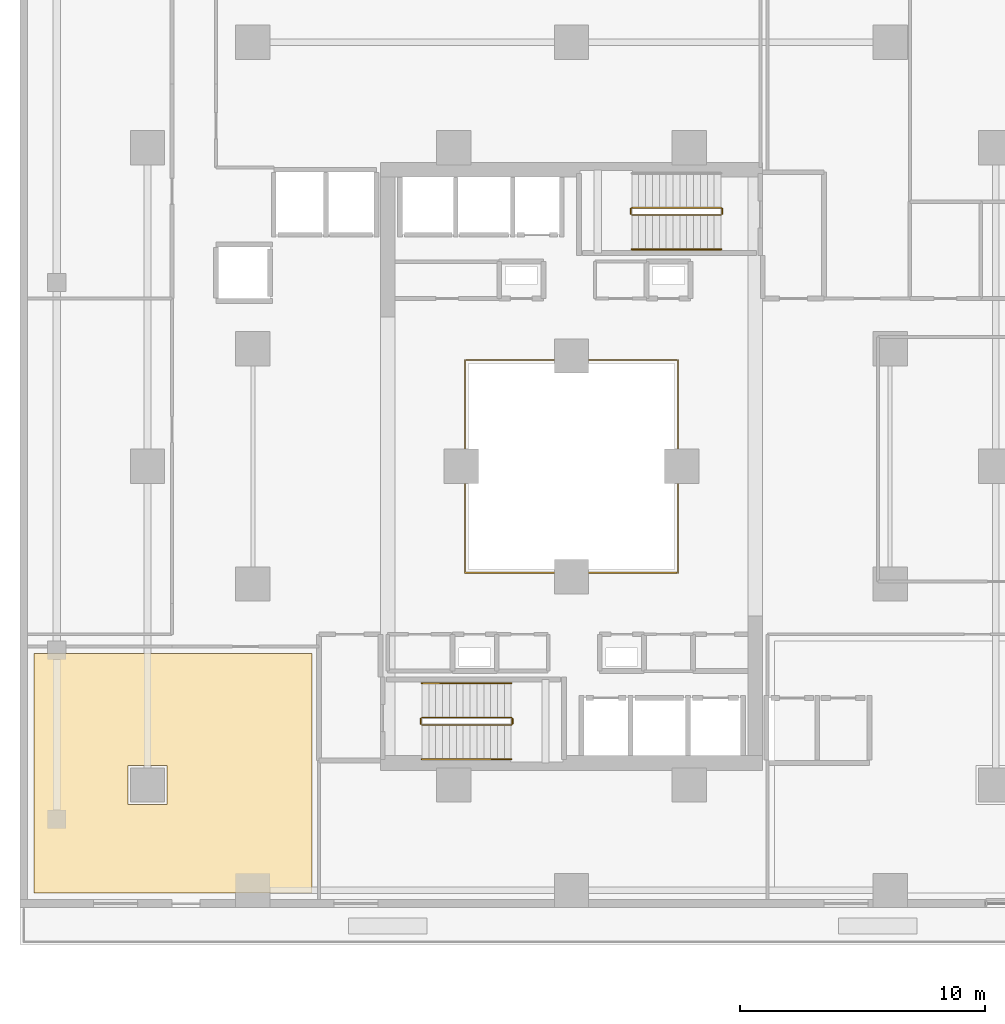
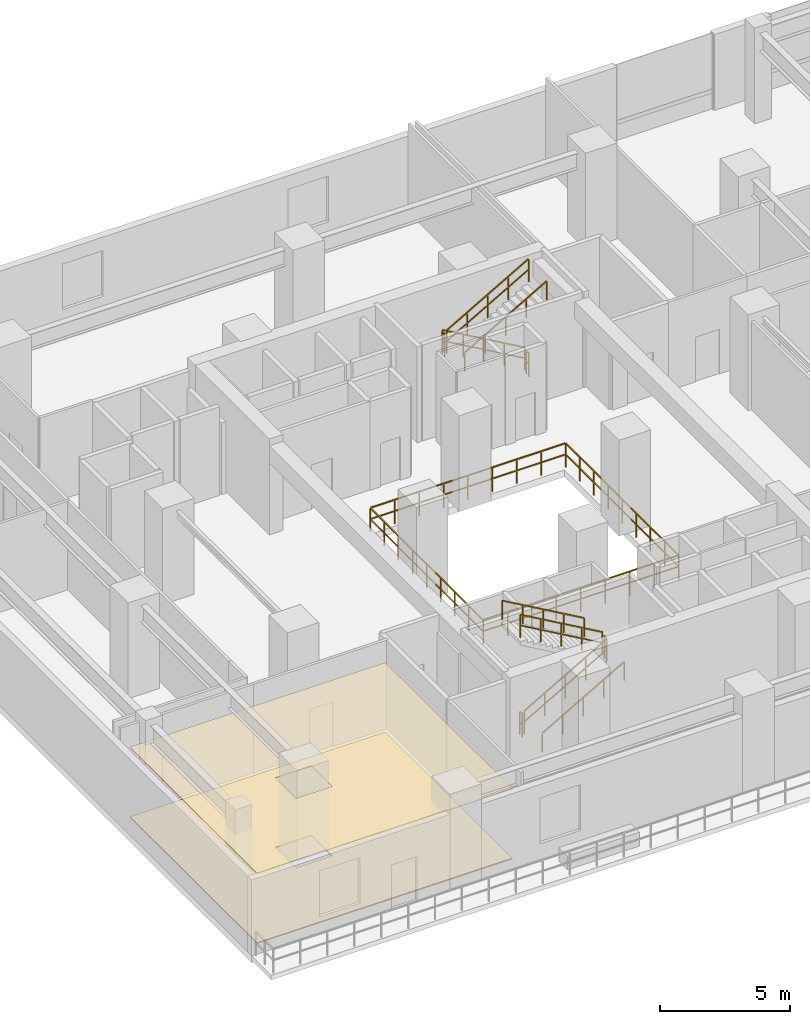
# One storey, part 20 of 24: 12 railings, 2 coverings.
"""IFC4 building model written with IfcOpenShell, lengths in metres."""

from ifc_helpers import new_model, si_unit, direction, frame, origin, origin_2d, place, context, subcontext, project, spatial, polyline, rectangle, outline, extrude, material, layer, layer_set, type_object, element, save


model = new_model("IFC4")

# Units and contexts
model_context = context("Model", 3, precision=1e-05, world=origin(), true_north=direction((0.0, 1.0)))
body_context = subcontext(model_context, "Body", "Model", "MODEL_VIEW")
ifc_project = project(units=[si_unit("LENGTHUNIT", "METRE"), si_unit("AREAUNIT", "SQUARE_METRE"), si_unit("VOLUMEUNIT", "CUBIC_METRE"), si_unit("PLANEANGLEUNIT", "RADIAN"), si_unit("MASSUNIT", "GRAM", prefix="KILO")], contexts=[model_context])

# Site, building, storey
site_placement = place(None, origin())
site = spatial("IfcSite", under=ifc_project, at=site_placement, CompositionType="ELEMENT")
building_placement = place(site_placement, origin())
building = spatial("IfcBuilding", under=site, at=building_placement, Name="Thornwick Lancets Civic Towers", CompositionType="ELEMENT")
storey_placement = place(building_placement, frame((0.0, 0.0, 14.10009765625)))
storey = spatial("IfcBuildingStorey", under=building, at=storey_placement, Name="L03", CompositionType="ELEMENT", Elevation=14.10009765625)

# Coverings
ifc_material_1 = material(Name="Perforated mineral acoustic ceiling tile")
ifc_layer_1 = layer(ifc_material_1, 0.0400390625, Name="Perforated mineral acoustic ceiling tile")
ifc_layer_set_1 = layer_set([ifc_layer_1], Name="Perforated mineral acoustic ceiling tile")
covering_type_1 = type_object("IfcCoveringType", Name="COV_CEIL_ACOUSTIC", PredefinedType="CEILING", material=ifc_layer_set_1)
covering_1_placement = place(storey_placement, frame((0.0, 0.0, 3.27392578125)))
element("IfcCovering", 1, at=covering_1_placement, inside=storey, type_object=covering_type_1, Name="L03 Ministry Policy Directorate West Ceiling", PredefinedType="CEILING", context=body_context, shape_type="SweptSolid", body=[
    extrude(outline(polyline([(14.919921875, 9.60009765625), (3.580078125, 9.60009765625), (3.580078125, 19.3701171875), (14.919921875, 19.3701171875), (14.919921875, 9.60009765625)]), holes=[polyline([(7.39990234375, 13.199951171875), (9.0, 13.199951171875), (9.0, 14.800048828125), (7.39990234375, 14.800048828125), (7.39990234375, 13.199951171875)])]), origin(), (0.0, 0.0, 1.0), 0.0400390625),
])
ifc_material_2 = material(Name="Calcium-sulfate raised access floor panel")
ifc_layer_2 = layer(ifc_material_2, 0.050048828125, Name="Calcium-sulfate raised access floor panel")
ifc_layer_set_2 = layer_set([ifc_layer_2], Name="Calcium-sulfate raised access floor panel")
covering_type_2 = type_object("IfcCoveringType", Name="COV_FLOOR_RAISED", PredefinedType="FLOORING", material=ifc_layer_set_2)
covering_2_placement = place(storey_placement, origin())
element("IfcCovering", 2, at=covering_2_placement, inside=storey, type_object=covering_type_2, Name="L03 Ministry Policy Directorate West Raised Access Flooring", PredefinedType="FLOORING", context=body_context, shape_type="SweptSolid", body=[
    extrude(outline(polyline([(14.919921875, 9.60009765625), (3.580078125, 9.60009765625), (3.580078125, 19.3701171875), (14.919921875, 19.3701171875), (14.919921875, 9.60009765625)]), holes=[polyline([(7.39990234375, 13.199951171875), (9.0, 13.199951171875), (9.0, 14.800048828125), (7.39990234375, 14.800048828125), (7.39990234375, 13.199951171875)])]), origin(), (0.0, 0.0, 1.0), 0.0498046875),
])

# Railings
ifc_material_3 = material(Name="Laminated glass and bronze steel S355", Category="steel")
railing_type_1 = type_object("IfcRailingType", Name="RAIL_ATRIUM_GUARD", PredefinedType="BALUSTRADE", material=ifc_material_3)
railing_1_placement = place(storey_placement, frame((21.159912109375, 22.659912109375, 0.0)))
element("IfcRailing", 3, at=railing_1_placement, inside=storey, type_object=railing_type_1, Name="L03 Tower A Central Atrium Guard Balustrade", PredefinedType="BALUSTRADE", context=body_context, shape_type="SweptSolid", body=[
    extrude(rectangle(XDim=0.048095703125, YDim=0.048095703125, at=origin_2d()), frame((0.0, 0.0, 1.1259765625), z_axis=(1.0, 0.0, 0.0), x_axis=(0.0, 1.0, 0.0)), (0.0, 0.0, 1.0), 8.64892578125),
    extrude(rectangle(XDim=0.0419921875, YDim=0.0419921875, at=origin_2d()), frame((0.03759765625, 0.0, 0.597900390625), z_axis=(1.0, 0.0, 0.0), x_axis=(0.0, 1.0, 0.0)), (0.0, 0.0, 1.0), 1.010009765625),
    extrude(rectangle(XDim=0.0419921875, YDim=0.0419921875, at=origin_2d()), frame((1.12255859375, 0.0, 0.597900390625), z_axis=(1.0, 0.0, 0.0), x_axis=(0.0, 1.0, 0.0)), (0.0, 0.0, 1.0), 1.010009765625),
    extrude(rectangle(XDim=0.0419921875, YDim=0.0419921875, at=origin_2d()), frame((2.20751953125, 0.0, 0.597900390625), z_axis=(1.0, 0.0, 0.0), x_axis=(0.0, 1.0, 0.0)), (0.0, 0.0, 1.0), 1.010009765625),
    extrude(rectangle(XDim=0.0419921875, YDim=0.0419921875, at=origin_2d()), frame((3.29248046875, 0.0, 0.597900390625), z_axis=(1.0, 0.0, 0.0), x_axis=(0.0, 1.0, 0.0)), (0.0, 0.0, 1.0), 1.010009765625),
    extrude(rectangle(XDim=0.0419921875, YDim=0.0419921875, at=origin_2d()), frame((4.377685546875, 0.0, 0.597900390625), z_axis=(1.0, 0.0, 0.0), x_axis=(0.0, 1.0, 0.0)), (0.0, 0.0, 1.0), 1.010009765625),
    extrude(rectangle(XDim=0.0419921875, YDim=0.0419921875, at=origin_2d()), frame((5.462646484375, 0.0, 0.597900390625), z_axis=(1.0, 0.0, 0.0), x_axis=(0.0, 1.0, 0.0)), (0.0, 0.0, 1.0), 1.010009765625),
    extrude(rectangle(XDim=0.0419921875, YDim=0.0419921875, at=origin_2d()), frame((6.547607421875, 0.0, 0.597900390625), z_axis=(1.0, 0.0, 0.0), x_axis=(0.0, 1.0, 0.0)), (0.0, 0.0, 1.0), 1.010009765625),
    extrude(rectangle(XDim=0.0419921875, YDim=0.0419921875, at=origin_2d()), frame((7.632568359375, 0.0, 0.597900390625), z_axis=(1.0, 0.0, 0.0), x_axis=(0.0, 1.0, 0.0)), (0.0, 0.0, 1.0), 1.010009765625),
    extrude(rectangle(XDim=0.048095703125, YDim=0.048095703125, at=origin_2d()), frame((8.68017578125, 0.03125, 1.1259765625), z_axis=(0.0, 1.0, 0.0), x_axis=(-1.0, 0.0, 0.0)), (0.0, 0.0, 1.0), 8.61767578125),
    extrude(rectangle(XDim=0.0419921875, YDim=0.0419921875, at=origin_2d()), frame((8.68017578125, 0.03759765625, 0.597900390625), z_axis=(0.0, 1.0, 0.0), x_axis=(-1.0, 0.0, 0.0)), (0.0, 0.0, 1.0), 1.010009765625),
    extrude(rectangle(XDim=0.0419921875, YDim=0.0419921875, at=origin_2d()), frame((8.68017578125, 1.12255859375, 0.597900390625), z_axis=(0.0, 1.0, 0.0), x_axis=(-1.0, 0.0, 0.0)), (0.0, 0.0, 1.0), 1.010009765625),
    extrude(rectangle(XDim=0.0419921875, YDim=0.0419921875, at=origin_2d()), frame((8.68017578125, 2.20751953125, 0.597900390625), z_axis=(0.0, 1.0, 0.0), x_axis=(-1.0, 0.0, 0.0)), (0.0, 0.0, 1.0), 1.010009765625),
    extrude(rectangle(XDim=0.0419921875, YDim=0.0419921875, at=origin_2d()), frame((8.68017578125, 3.29248046875, 0.597900390625), z_axis=(0.0, 1.0, 0.0), x_axis=(-1.0, 0.0, 0.0)), (0.0, 0.0, 1.0), 1.010009765625),
    extrude(rectangle(XDim=0.0419921875, YDim=0.0419921875, at=origin_2d()), frame((8.68017578125, 4.377685546875, 0.597900390625), z_axis=(0.0, 1.0, 0.0), x_axis=(-1.0, 0.0, 0.0)), (0.0, 0.0, 1.0), 1.010009765625),
    extrude(rectangle(XDim=0.0419921875, YDim=0.0419921875, at=origin_2d()), frame((8.68017578125, 5.462646484375, 0.597900390625), z_axis=(0.0, 1.0, 0.0), x_axis=(-1.0, 0.0, 0.0)), (0.0, 0.0, 1.0), 1.010009765625),
    extrude(rectangle(XDim=0.0419921875, YDim=0.0419921875, at=origin_2d()), frame((8.68017578125, 6.547607421875, 0.597900390625), z_axis=(0.0, 1.0, 0.0), x_axis=(-1.0, 0.0, 0.0)), (0.0, 0.0, 1.0), 1.010009765625),
    extrude(rectangle(XDim=0.0419921875, YDim=0.0419921875, at=origin_2d()), frame((8.68017578125, 7.632568359375, 0.597900390625), z_axis=(0.0, 1.0, 0.0), x_axis=(-1.0, 0.0, 0.0)), (0.0, 0.0, 1.0), 1.010009765625),
    extrude(rectangle(XDim=0.048095703125, YDim=0.048095703125, at=origin_2d()), frame((8.64892578125, 8.68017578125, 1.1259765625), z_axis=(-1.0, 0.0, 0.0), x_axis=(0.0, -1.0, 0.0)), (0.0, 0.0, 1.0), 8.61767578125),
    extrude(rectangle(XDim=0.0419921875, YDim=0.0419921875, at=origin_2d()), frame((8.642578125, 8.68017578125, 0.597900390625), z_axis=(-1.0, 0.0, 0.0), x_axis=(0.0, -1.0, 0.0)), (0.0, 0.0, 1.0), 1.010009765625),
    extrude(rectangle(XDim=0.0419921875, YDim=0.0419921875, at=origin_2d()), frame((7.5576171875, 8.68017578125, 0.597900390625), z_axis=(-1.0, 0.0, 0.0), x_axis=(0.0, -1.0, 0.0)), (0.0, 0.0, 1.0), 1.010009765625),
    extrude(rectangle(XDim=0.0419921875, YDim=0.0419921875, at=origin_2d()), frame((6.47265625, 8.68017578125, 0.597900390625), z_axis=(-1.0, 0.0, 0.0), x_axis=(0.0, -1.0, 0.0)), (0.0, 0.0, 1.0), 1.010009765625),
    extrude(rectangle(XDim=0.0419921875, YDim=0.0419921875, at=origin_2d()), frame((5.3876953125, 8.68017578125, 0.597900390625), z_axis=(-1.0, 0.0, 0.0), x_axis=(0.0, -1.0, 0.0)), (0.0, 0.0, 1.0), 1.010009765625),
    extrude(rectangle(XDim=0.0419921875, YDim=0.0419921875, at=origin_2d()), frame((4.302490234375, 8.68017578125, 0.597900390625), z_axis=(-1.0, 0.0, 0.0), x_axis=(0.0, -1.0, 0.0)), (0.0, 0.0, 1.0), 1.010009765625),
    extrude(rectangle(XDim=0.0419921875, YDim=0.0419921875, at=origin_2d()), frame((3.217529296875, 8.68017578125, 0.597900390625), z_axis=(-1.0, 0.0, 0.0), x_axis=(0.0, -1.0, 0.0)), (0.0, 0.0, 1.0), 1.010009765625),
    extrude(rectangle(XDim=0.0419921875, YDim=0.0419921875, at=origin_2d()), frame((2.132568359375, 8.68017578125, 0.597900390625), z_axis=(-1.0, 0.0, 0.0), x_axis=(0.0, -1.0, 0.0)), (0.0, 0.0, 1.0), 1.010009765625),
    extrude(rectangle(XDim=0.0419921875, YDim=0.0419921875, at=origin_2d()), frame((1.047607421875, 8.68017578125, 0.597900390625), z_axis=(-1.0, 0.0, 0.0), x_axis=(0.0, -1.0, 0.0)), (0.0, 0.0, 1.0), 1.010009765625),
    extrude(rectangle(XDim=0.048095703125, YDim=0.048095703125, at=origin_2d()), frame((0.0, 8.64892578125, 1.1259765625), z_axis=(0.0, -1.0, 0.0), x_axis=(1.0, 0.0, 0.0)), (0.0, 0.0, 1.0), 8.64892578125),
    extrude(rectangle(XDim=0.0419921875, YDim=0.0419921875, at=origin_2d()), frame((0.0, 8.642578125, 0.597900390625), z_axis=(0.0, -1.0, 0.0), x_axis=(1.0, 0.0, 0.0)), (0.0, 0.0, 1.0), 1.010009765625),
    extrude(rectangle(XDim=0.0419921875, YDim=0.0419921875, at=origin_2d()), frame((0.0, 7.5576171875, 0.597900390625), z_axis=(0.0, -1.0, 0.0), x_axis=(1.0, 0.0, 0.0)), (0.0, 0.0, 1.0), 1.010009765625),
    extrude(rectangle(XDim=0.0419921875, YDim=0.0419921875, at=origin_2d()), frame((0.0, 6.47265625, 0.597900390625), z_axis=(0.0, -1.0, 0.0), x_axis=(1.0, 0.0, 0.0)), (0.0, 0.0, 1.0), 1.010009765625),
    extrude(rectangle(XDim=0.0419921875, YDim=0.0419921875, at=origin_2d()), frame((0.0, 5.3876953125, 0.597900390625), z_axis=(0.0, -1.0, 0.0), x_axis=(1.0, 0.0, 0.0)), (0.0, 0.0, 1.0), 1.010009765625),
    extrude(rectangle(XDim=0.0419921875, YDim=0.0419921875, at=origin_2d()), frame((0.0, 4.302490234375, 0.597900390625), z_axis=(0.0, -1.0, 0.0), x_axis=(1.0, 0.0, 0.0)), (0.0, 0.0, 1.0), 1.010009765625),
    extrude(rectangle(XDim=0.0419921875, YDim=0.0419921875, at=origin_2d()), frame((0.0, 3.217529296875, 0.597900390625), z_axis=(0.0, -1.0, 0.0), x_axis=(1.0, 0.0, 0.0)), (0.0, 0.0, 1.0), 1.010009765625),
    extrude(rectangle(XDim=0.0419921875, YDim=0.0419921875, at=origin_2d()), frame((0.0, 2.132568359375, 0.597900390625), z_axis=(0.0, -1.0, 0.0), x_axis=(1.0, 0.0, 0.0)), (0.0, 0.0, 1.0), 1.010009765625),
    extrude(rectangle(XDim=0.0419921875, YDim=0.0419921875, at=origin_2d()), frame((0.0, 1.047607421875, 0.597900390625), z_axis=(0.0, -1.0, 0.0), x_axis=(1.0, 0.0, 0.0)), (0.0, 0.0, 1.0), 1.010009765625),
    extrude(rectangle(XDim=0.0419921875, YDim=0.0419921875, at=origin_2d()), origin(), (0.0, 0.0, 1.0), 1.095703125),
    extrude(rectangle(XDim=0.0419921875, YDim=0.0419921875, at=origin_2d()), frame((1.0849609375, 0.0, 0.0)), (0.0, 0.0, 1.0), 1.095703125),
    extrude(rectangle(XDim=0.0419921875, YDim=0.0419921875, at=origin_2d()), frame((2.169921875, 0.0, 0.0)), (0.0, 0.0, 1.0), 1.095703125),
    extrude(rectangle(XDim=0.0419921875, YDim=0.0419921875, at=origin_2d()), frame((3.255126953125, 0.0, 0.0)), (0.0, 0.0, 1.0), 1.095703125),
    extrude(rectangle(XDim=0.0419921875, YDim=0.0419921875, at=origin_2d()), frame((4.340087890625, 0.0, 0.0)), (0.0, 0.0, 1.0), 1.095703125),
    extrude(rectangle(XDim=0.0419921875, YDim=0.0419921875, at=origin_2d()), frame((5.425048828125, 0.0, 0.0)), (0.0, 0.0, 1.0), 1.095703125),
    extrude(rectangle(XDim=0.0419921875, YDim=0.0419921875, at=origin_2d()), frame((6.51025390625, 0.0, 0.0)), (0.0, 0.0, 1.0), 1.095703125),
    extrude(rectangle(XDim=0.0419921875, YDim=0.0419921875, at=origin_2d()), frame((7.59521484375, 0.0, 0.0)), (0.0, 0.0, 1.0), 1.095703125),
    extrude(rectangle(XDim=0.0419921875, YDim=0.0419921875, at=origin_2d()), frame((8.68017578125, 0.0, 0.0)), (0.0, 0.0, 1.0), 1.095703125),
    extrude(rectangle(XDim=0.0419921875, YDim=0.0419921875, at=origin_2d()), frame((8.68017578125, 1.0849609375, 0.0)), (0.0, 0.0, 1.0), 1.095703125),
    extrude(rectangle(XDim=0.0419921875, YDim=0.0419921875, at=origin_2d()), frame((8.68017578125, 2.169921875, 0.0)), (0.0, 0.0, 1.0), 1.095703125),
    extrude(rectangle(XDim=0.0419921875, YDim=0.0419921875, at=origin_2d()), frame((8.68017578125, 3.255126953125, 0.0)), (0.0, 0.0, 1.0), 1.095703125),
    extrude(rectangle(XDim=0.0419921875, YDim=0.0419921875, at=origin_2d()), frame((8.68017578125, 4.340087890625, 0.0)), (0.0, 0.0, 1.0), 1.095703125),
    extrude(rectangle(XDim=0.0419921875, YDim=0.0419921875, at=origin_2d()), frame((8.68017578125, 5.425048828125, 0.0)), (0.0, 0.0, 1.0), 1.095703125),
    extrude(rectangle(XDim=0.0419921875, YDim=0.0419921875, at=origin_2d()), frame((8.68017578125, 6.51025390625, 0.0)), (0.0, 0.0, 1.0), 1.095703125),
    extrude(rectangle(XDim=0.0419921875, YDim=0.0419921875, at=origin_2d()), frame((8.68017578125, 7.59521484375, 0.0)), (0.0, 0.0, 1.0), 1.095703125),
    extrude(rectangle(XDim=0.0419921875, YDim=0.0419921875, at=origin_2d()), frame((8.68017578125, 8.68017578125, 0.0)), (0.0, 0.0, 1.0), 1.095703125),
    extrude(rectangle(XDim=0.0419921875, YDim=0.0419921875, at=origin_2d()), frame((7.59521484375, 8.68017578125, 0.0)), (0.0, 0.0, 1.0), 1.095703125),
    extrude(rectangle(XDim=0.0419921875, YDim=0.0419921875, at=origin_2d()), frame((6.51025390625, 8.68017578125, 0.0)), (0.0, 0.0, 1.0), 1.095703125),
    extrude(rectangle(XDim=0.0419921875, YDim=0.0419921875, at=origin_2d()), frame((5.425048828125, 8.68017578125, 0.0)), (0.0, 0.0, 1.0), 1.095703125),
    extrude(rectangle(XDim=0.0419921875, YDim=0.0419921875, at=origin_2d()), frame((4.340087890625, 8.68017578125, 0.0)), (0.0, 0.0, 1.0), 1.095703125),
    extrude(rectangle(XDim=0.0419921875, YDim=0.0419921875, at=origin_2d()), frame((3.255126953125, 8.68017578125, 0.0)), (0.0, 0.0, 1.0), 1.095703125),
    extrude(rectangle(XDim=0.0419921875, YDim=0.0419921875, at=origin_2d()), frame((2.169921875, 8.68017578125, 0.0)), (0.0, 0.0, 1.0), 1.095703125),
    extrude(rectangle(XDim=0.0419921875, YDim=0.0419921875, at=origin_2d()), frame((1.0849609375, 8.68017578125, 0.0)), (0.0, 0.0, 1.0), 1.095703125),
    extrude(rectangle(XDim=0.0419921875, YDim=0.0419921875, at=origin_2d()), frame((0.0, 8.68017578125, 0.0)), (0.0, 0.0, 1.0), 1.095703125),
    extrude(rectangle(XDim=0.0419921875, YDim=0.0419921875, at=origin_2d()), frame((0.0, 7.59521484375, 0.0)), (0.0, 0.0, 1.0), 1.095703125),
    extrude(rectangle(XDim=0.0419921875, YDim=0.0419921875, at=origin_2d()), frame((0.0, 6.51025390625, 0.0)), (0.0, 0.0, 1.0), 1.095703125),
    extrude(rectangle(XDim=0.0419921875, YDim=0.0419921875, at=origin_2d()), frame((0.0, 5.425048828125, 0.0)), (0.0, 0.0, 1.0), 1.095703125),
    extrude(rectangle(XDim=0.0419921875, YDim=0.0419921875, at=origin_2d()), frame((0.0, 4.340087890625, 0.0)), (0.0, 0.0, 1.0), 1.095703125),
    extrude(rectangle(XDim=0.0419921875, YDim=0.0419921875, at=origin_2d()), frame((0.0, 3.255126953125, 0.0)), (0.0, 0.0, 1.0), 1.095703125),
    extrude(rectangle(XDim=0.0419921875, YDim=0.0419921875, at=origin_2d()), frame((0.0, 2.169921875, 0.0)), (0.0, 0.0, 1.0), 1.095703125),
    extrude(rectangle(XDim=0.0419921875, YDim=0.0419921875, at=origin_2d()), frame((0.0, 1.0849609375, 0.0)), (0.0, 0.0, 1.0), 1.095703125),
])
ifc_material_4 = material(Name="Brushed stainless steel S355", Category="steel")
railing_type_2 = type_object("IfcRailingType", Name="RAIL_HANDRAIL", PredefinedType="HANDRAIL", material=ifc_material_4)
railing_2_placement = place(storey_placement, frame((19.39990234375, 15.050048828125, 0.16064453125)))
element("IfcRailing", 4, at=railing_2_placement, inside=storey, type_object=railing_type_2, Name="L03 ST-A1 stair handrail 1", PredefinedType="HANDRAIL", context=body_context, shape_type="SweptSolid", body=[
    extrude(rectangle(XDim=0.048095703125, YDim=0.048095703125, at=origin_2d()), frame((0.0, 0.0, 0.8857421875), z_axis=(0.867289372828, 0.0, 0.497804322781), x_axis=(0.0, 1.0, 0.0)), (0.0, 0.0, 1.0), 4.197021484375),
    extrude(rectangle(XDim=0.0419921875, YDim=0.0419921875, at=origin_2d()), origin(), (0.0, 0.0, 1.0), 0.855712890625),
    extrude(rectangle(XDim=0.0419921875, YDim=0.0419921875, at=origin_2d()), frame((0.91015625, 0.0, 0.5224609375)), (0.0, 0.0, 1.0), 0.855712890625),
    extrude(rectangle(XDim=0.0419921875, YDim=0.0419921875, at=origin_2d()), frame((1.820068359375, 0.0, 1.044677734375)), (0.0, 0.0, 1.0), 0.855712890625),
    extrude(rectangle(XDim=0.0419921875, YDim=0.0419921875, at=origin_2d()), frame((2.72998046875, 0.0, 1.56689453125)), (0.0, 0.0, 1.0), 0.855712890625),
    extrude(rectangle(XDim=0.0419921875, YDim=0.0419921875, at=origin_2d()), frame((3.64013671875, 0.0, 2.08935546875)), (0.0, 0.0, 1.0), 0.855712890625),
])
railing_3_placement = place(storey_placement, frame((23.0400390625, 18.14990234375, 2.41064453125)))
element("IfcRailing", 5, at=railing_3_placement, inside=storey, type_object=railing_type_2, Name="L03 ST-A1 stair handrail 2", PredefinedType="HANDRAIL", context=body_context, shape_type="SweptSolid", body=[
    extrude(rectangle(XDim=0.048095703125, YDim=0.048095703125, at=origin_2d()), frame((0.0, 0.0, 0.8857421875), z_axis=(-0.867289372828, 0.0, 0.497804322781), x_axis=(0.0, -1.0, 0.0)), (0.0, 0.0, 1.0), 4.197021484375),
    extrude(rectangle(XDim=0.0419921875, YDim=0.0419921875, at=origin_2d()), origin(), (0.0, 0.0, 1.0), 0.855712890625),
    extrude(rectangle(XDim=0.0419921875, YDim=0.0419921875, at=origin_2d()), frame((-0.91015625, 0.0, 0.5224609375)), (0.0, 0.0, 1.0), 0.855712890625),
    extrude(rectangle(XDim=0.0419921875, YDim=0.0419921875, at=origin_2d()), frame((-1.820068359375, 0.0, 1.044677734375)), (0.0, 0.0, 1.0), 0.855712890625),
    extrude(rectangle(XDim=0.0419921875, YDim=0.0419921875, at=origin_2d()), frame((-2.72998046875, 0.0, 1.56689453125)), (0.0, 0.0, 1.0), 0.855712890625),
    extrude(rectangle(XDim=0.0419921875, YDim=0.0419921875, at=origin_2d()), frame((-3.64013671875, 0.0, 2.08935546875)), (0.0, 0.0, 1.0), 0.855712890625),
])
railing_4_placement = place(storey_placement, frame((27.9599609375, 35.85009765625, 2.41064453125)))
element("IfcRailing", 6, at=railing_4_placement, inside=storey, type_object=railing_type_2, Name="L03 ST-A2 stair handrail 2", PredefinedType="HANDRAIL", context=body_context, shape_type="SweptSolid", body=[
    extrude(rectangle(XDim=0.048095703125, YDim=0.048095703125, at=origin_2d()), frame((0.0, 0.0, 0.8857421875), z_axis=(0.867289372828, 0.0, 0.497804322781), x_axis=(0.0, 1.0, 0.0)), (0.0, 0.0, 1.0), 4.197021484375),
    extrude(rectangle(XDim=0.0419921875, YDim=0.0419921875, at=origin_2d()), origin(), (0.0, 0.0, 1.0), 0.855712890625),
    extrude(rectangle(XDim=0.0419921875, YDim=0.0419921875, at=origin_2d()), frame((0.91015625, 0.0, 0.5224609375)), (0.0, 0.0, 1.0), 0.855712890625),
    extrude(rectangle(XDim=0.0419921875, YDim=0.0419921875, at=origin_2d()), frame((1.820068359375, 0.0, 1.044677734375)), (0.0, 0.0, 1.0), 0.855712890625),
    extrude(rectangle(XDim=0.0419921875, YDim=0.0419921875, at=origin_2d()), frame((2.72998046875, 0.0, 1.56689453125)), (0.0, 0.0, 1.0), 0.855712890625),
    extrude(rectangle(XDim=0.0419921875, YDim=0.0419921875, at=origin_2d()), frame((3.64013671875, 0.0, 2.08935546875)), (0.0, 0.0, 1.0), 0.855712890625),
])
ifc_material_5 = material(Name="Steel S355JR", Category="steel")
railing_type_3 = type_object("IfcRailingType", Name="RAIL_STAIR_GUARD", PredefinedType="GUARDRAIL", material=ifc_material_5)
railing_5_placement = place(storey_placement, frame((19.39990234375, 16.449951171875, 0.16064453125)))
element("IfcRailing", 7, at=railing_5_placement, inside=storey, type_object=railing_type_3, Name="L03 ST-A1 stair guard 1", PredefinedType="GUARDRAIL", context=body_context, shape_type="SweptSolid", body=[
    extrude(rectangle(XDim=0.048095703125, YDim=0.048095703125, at=origin_2d()), frame((0.0, 0.0, 1.076171875), z_axis=(0.867289372828, 0.0, 0.497804322781), x_axis=(0.0, 1.0, 0.0)), (0.0, 0.0, 1.0), 4.197021484375),
    extrude(rectangle(XDim=0.0419921875, YDim=0.0419921875, at=origin_2d()), frame((0.032470703125, 0.0, 0.5908203125), z_axis=(0.867289372828, 0.0, 0.497804322781), x_axis=(0.0, 1.0, 0.0)), (0.0, 0.0, 1.0), 0.974365234375),
    extrude(rectangle(XDim=0.0419921875, YDim=0.0419921875, at=origin_2d()), frame((0.942626953125, 0.0, 1.113037109375), z_axis=(0.867289372828, 0.0, 0.497804322781), x_axis=(0.0, 1.0, 0.0)), (0.0, 0.0, 1.0), 0.974365234375),
    extrude(rectangle(XDim=0.0419921875, YDim=0.0419921875, at=origin_2d()), frame((1.8525390625, 0.0, 1.635498046875), z_axis=(0.867289372828, 0.0, 0.497804322781), x_axis=(0.0, 1.0, 0.0)), (0.0, 0.0, 1.0), 0.974365234375),
    extrude(rectangle(XDim=0.0419921875, YDim=0.0419921875, at=origin_2d()), frame((2.7626953125, 0.0, 2.15771484375), z_axis=(0.867289372828, 0.0, 0.497804322781), x_axis=(0.0, 1.0, 0.0)), (0.0, 0.0, 1.0), 0.974365234375),
    extrude(rectangle(XDim=0.0419921875, YDim=0.0419921875, at=origin_2d()), origin(), (0.0, 0.0, 1.0), 1.0458984375),
    extrude(rectangle(XDim=0.0419921875, YDim=0.0419921875, at=origin_2d()), frame((0.91015625, 0.0, 0.5224609375)), (0.0, 0.0, 1.0), 1.0458984375),
    extrude(rectangle(XDim=0.0419921875, YDim=0.0419921875, at=origin_2d()), frame((1.820068359375, 0.0, 1.044677734375)), (0.0, 0.0, 1.0), 1.0458984375),
    extrude(rectangle(XDim=0.0419921875, YDim=0.0419921875, at=origin_2d()), frame((2.72998046875, 0.0, 1.56689453125)), (0.0, 0.0, 1.0), 1.0458984375),
    extrude(rectangle(XDim=0.0419921875, YDim=0.0419921875, at=origin_2d()), frame((3.64013671875, 0.0, 2.08935546875)), (0.0, 0.0, 1.0), 1.0458984375),
])
railing_6_placement = place(storey_placement, frame((23.090087890625, 16.5, 2.25)))
element("IfcRailing", 8, at=railing_6_placement, inside=storey, type_object=railing_type_3, Name="L03 ST-A1 stair guard 2", PredefinedType="GUARDRAIL", context=body_context, shape_type="SweptSolid", body=[
    extrude(rectangle(XDim=0.048095703125, YDim=0.048095703125, at=origin_2d()), frame((0.0, 0.0, 1.076171875), z_axis=(0.0, 1.0, 0.0), x_axis=(-1.0, 0.0, 0.0)), (0.0, 0.0, 1.0), 0.199951171875),
    extrude(rectangle(XDim=0.0419921875, YDim=0.0419921875, at=origin_2d()), frame((0.0, 0.03759765625, 0.572021484375), z_axis=(0.0, 1.0, 0.0), x_axis=(-1.0, 0.0, 0.0)), (0.0, 0.0, 1.0), 0.125),
    extrude(rectangle(XDim=0.0419921875, YDim=0.0419921875, at=origin_2d()), origin(), (0.0, 0.0, 1.0), 1.0458984375),
    extrude(rectangle(XDim=0.0419921875, YDim=0.0419921875, at=origin_2d()), frame((0.0, 0.199951171875, 0.0)), (0.0, 0.0, 1.0), 1.0458984375),
])
railing_7_placement = place(storey_placement, frame((23.0400390625, 16.75, 2.41064453125)))
element("IfcRailing", 9, at=railing_7_placement, inside=storey, type_object=railing_type_3, Name="L03 ST-A1 stair guard 3", PredefinedType="GUARDRAIL", context=body_context, shape_type="SweptSolid", body=[
    extrude(rectangle(XDim=0.048095703125, YDim=0.048095703125, at=origin_2d()), frame((0.0, 0.0, 1.076171875), z_axis=(-0.867289372828, 0.0, 0.497804322781), x_axis=(0.0, -1.0, 0.0)), (0.0, 0.0, 1.0), 4.197021484375),
    extrude(rectangle(XDim=0.0419921875, YDim=0.0419921875, at=origin_2d()), frame((-0.032470703125, 0.0, 0.5908203125), z_axis=(-0.867289372828, 0.0, 0.497804322781), x_axis=(0.0, -1.0, 0.0)), (0.0, 0.0, 1.0), 0.974365234375),
    extrude(rectangle(XDim=0.0419921875, YDim=0.0419921875, at=origin_2d()), frame((-0.942626953125, 0.0, 1.113037109375), z_axis=(-0.867289372828, 0.0, 0.497804322781), x_axis=(0.0, -1.0, 0.0)), (0.0, 0.0, 1.0), 0.974365234375),
    extrude(rectangle(XDim=0.0419921875, YDim=0.0419921875, at=origin_2d()), frame((-1.8525390625, 0.0, 1.635498046875), z_axis=(-0.867289372828, 0.0, 0.497804322781), x_axis=(0.0, -1.0, 0.0)), (0.0, 0.0, 1.0), 0.974365234375),
    extrude(rectangle(XDim=0.0419921875, YDim=0.0419921875, at=origin_2d()), frame((-2.7626953125, 0.0, 2.15771484375), z_axis=(-0.867289372828, 0.0, 0.497804322781), x_axis=(0.0, -1.0, 0.0)), (0.0, 0.0, 1.0), 0.974365234375),
    extrude(rectangle(XDim=0.0419921875, YDim=0.0419921875, at=origin_2d()), origin(), (0.0, 0.0, 1.0), 1.0458984375),
    extrude(rectangle(XDim=0.0419921875, YDim=0.0419921875, at=origin_2d()), frame((-0.91015625, 0.0, 0.5224609375)), (0.0, 0.0, 1.0), 1.0458984375),
    extrude(rectangle(XDim=0.0419921875, YDim=0.0419921875, at=origin_2d()), frame((-1.820068359375, 0.0, 1.044677734375)), (0.0, 0.0, 1.0), 1.0458984375),
    extrude(rectangle(XDim=0.0419921875, YDim=0.0419921875, at=origin_2d()), frame((-2.72998046875, 0.0, 1.56689453125)), (0.0, 0.0, 1.0), 1.0458984375),
    extrude(rectangle(XDim=0.0419921875, YDim=0.0419921875, at=origin_2d()), frame((-3.64013671875, 0.0, 2.08935546875)), (0.0, 0.0, 1.0), 1.0458984375),
])
railing_8_placement = place(storey_placement, frame((19.35009765625, 16.5, 0.0)))
element("IfcRailing", 10, at=railing_8_placement, inside=storey, type_object=railing_type_3, Name="L03 ST-A1 stair guard 4", PredefinedType="GUARDRAIL", context=body_context, shape_type="SweptSolid", body=[
    extrude(rectangle(XDim=0.048095703125, YDim=0.048095703125, at=origin_2d()), frame((0.0, 0.0, 1.076171875), z_axis=(0.0, 1.0, 0.0), x_axis=(-1.0, 0.0, 0.0)), (0.0, 0.0, 1.0), 0.199951171875),
    extrude(rectangle(XDim=0.0419921875, YDim=0.0419921875, at=origin_2d()), frame((0.0, 0.03759765625, 0.572021484375), z_axis=(0.0, 1.0, 0.0), x_axis=(-1.0, 0.0, 0.0)), (0.0, 0.0, 1.0), 0.125),
    extrude(rectangle(XDim=0.0419921875, YDim=0.0419921875, at=origin_2d()), origin(), (0.0, 0.0, 1.0), 1.0458984375),
    extrude(rectangle(XDim=0.0419921875, YDim=0.0419921875, at=origin_2d()), frame((0.0, 0.199951171875, 0.0)), (0.0, 0.0, 1.0), 1.0458984375),
])
railing_9_placement = place(storey_placement, frame((31.60009765625, 37.550048828125, 0.16064453125)))
element("IfcRailing", 11, at=railing_9_placement, inside=storey, type_object=railing_type_3, Name="L03 ST-A2 stair guard 1", PredefinedType="GUARDRAIL", context=body_context, shape_type="SweptSolid", body=[
    extrude(rectangle(XDim=0.048095703125, YDim=0.048095703125, at=origin_2d()), frame((0.0, 0.0, 1.076171875), z_axis=(-0.867289372828, 0.0, 0.497804322781), x_axis=(0.0, -1.0, 0.0)), (0.0, 0.0, 1.0), 4.197021484375),
    extrude(rectangle(XDim=0.0419921875, YDim=0.0419921875, at=origin_2d()), frame((-0.032470703125, 0.0, 0.5908203125), z_axis=(-0.867289372828, 0.0, 0.497804322781), x_axis=(0.0, -1.0, 0.0)), (0.0, 0.0, 1.0), 0.974365234375),
    extrude(rectangle(XDim=0.0419921875, YDim=0.0419921875, at=origin_2d()), frame((-0.942626953125, 0.0, 1.113037109375), z_axis=(-0.867289372828, 0.0, 0.497804322781), x_axis=(0.0, -1.0, 0.0)), (0.0, 0.0, 1.0), 0.974365234375),
    extrude(rectangle(XDim=0.0419921875, YDim=0.0419921875, at=origin_2d()), frame((-1.8525390625, 0.0, 1.635498046875), z_axis=(-0.867289372828, 0.0, 0.497804322781), x_axis=(0.0, -1.0, 0.0)), (0.0, 0.0, 1.0), 0.974365234375),
    extrude(rectangle(XDim=0.0419921875, YDim=0.0419921875, at=origin_2d()), frame((-2.7626953125, 0.0, 2.15771484375), z_axis=(-0.867289372828, 0.0, 0.497804322781), x_axis=(0.0, -1.0, 0.0)), (0.0, 0.0, 1.0), 0.974365234375),
    extrude(rectangle(XDim=0.0419921875, YDim=0.0419921875, at=origin_2d()), origin(), (0.0, 0.0, 1.0), 1.0458984375),
    extrude(rectangle(XDim=0.0419921875, YDim=0.0419921875, at=origin_2d()), frame((-0.91015625, 0.0, 0.5224609375)), (0.0, 0.0, 1.0), 1.0458984375),
    extrude(rectangle(XDim=0.0419921875, YDim=0.0419921875, at=origin_2d()), frame((-1.820068359375, 0.0, 1.044677734375)), (0.0, 0.0, 1.0), 1.0458984375),
    extrude(rectangle(XDim=0.0419921875, YDim=0.0419921875, at=origin_2d()), frame((-2.72998046875, 0.0, 1.56689453125)), (0.0, 0.0, 1.0), 1.0458984375),
    extrude(rectangle(XDim=0.0419921875, YDim=0.0419921875, at=origin_2d()), frame((-3.64013671875, 0.0, 2.08935546875)), (0.0, 0.0, 1.0), 1.0458984375),
])
railing_10_placement = place(storey_placement, frame((27.909912109375, 37.5, 2.25)))
element("IfcRailing", 12, at=railing_10_placement, inside=storey, type_object=railing_type_3, Name="L03 ST-A2 stair guard 2", PredefinedType="GUARDRAIL", context=body_context, shape_type="SweptSolid", body=[
    extrude(rectangle(XDim=0.048095703125, YDim=0.048095703125, at=origin_2d()), frame((0.0, 0.0, 1.076171875), z_axis=(0.0, -1.0, 0.0), x_axis=(1.0, 0.0, 0.0)), (0.0, 0.0, 1.0), 0.199951171875),
    extrude(rectangle(XDim=0.0419921875, YDim=0.0419921875, at=origin_2d()), frame((0.0, -0.03759765625, 0.572021484375), z_axis=(0.0, -1.0, 0.0), x_axis=(1.0, 0.0, 0.0)), (0.0, 0.0, 1.0), 0.125),
    extrude(rectangle(XDim=0.0419921875, YDim=0.0419921875, at=origin_2d()), origin(), (0.0, 0.0, 1.0), 1.0458984375),
    extrude(rectangle(XDim=0.0419921875, YDim=0.0419921875, at=origin_2d()), frame((0.0, -0.199951171875, 0.0)), (0.0, 0.0, 1.0), 1.0458984375),
])
railing_11_placement = place(storey_placement, frame((27.9599609375, 37.25, 2.41064453125)))
element("IfcRailing", 13, at=railing_11_placement, inside=storey, type_object=railing_type_3, Name="L03 ST-A2 stair guard 3", PredefinedType="GUARDRAIL", context=body_context, shape_type="SweptSolid", body=[
    extrude(rectangle(XDim=0.048095703125, YDim=0.048095703125, at=origin_2d()), frame((0.0, 0.0, 1.076171875), z_axis=(0.867289372828, 0.0, 0.497804322781), x_axis=(0.0, 1.0, 0.0)), (0.0, 0.0, 1.0), 4.197021484375),
    extrude(rectangle(XDim=0.0419921875, YDim=0.0419921875, at=origin_2d()), frame((0.032470703125, 0.0, 0.5908203125), z_axis=(0.867289372828, 0.0, 0.497804322781), x_axis=(0.0, 1.0, 0.0)), (0.0, 0.0, 1.0), 0.974365234375),
    extrude(rectangle(XDim=0.0419921875, YDim=0.0419921875, at=origin_2d()), frame((0.942626953125, 0.0, 1.113037109375), z_axis=(0.867289372828, 0.0, 0.497804322781), x_axis=(0.0, 1.0, 0.0)), (0.0, 0.0, 1.0), 0.974365234375),
    extrude(rectangle(XDim=0.0419921875, YDim=0.0419921875, at=origin_2d()), frame((1.8525390625, 0.0, 1.635498046875), z_axis=(0.867289372828, 0.0, 0.497804322781), x_axis=(0.0, 1.0, 0.0)), (0.0, 0.0, 1.0), 0.974365234375),
    extrude(rectangle(XDim=0.0419921875, YDim=0.0419921875, at=origin_2d()), frame((2.7626953125, 0.0, 2.15771484375), z_axis=(0.867289372828, 0.0, 0.497804322781), x_axis=(0.0, 1.0, 0.0)), (0.0, 0.0, 1.0), 0.974365234375),
    extrude(rectangle(XDim=0.0419921875, YDim=0.0419921875, at=origin_2d()), origin(), (0.0, 0.0, 1.0), 1.0458984375),
    extrude(rectangle(XDim=0.0419921875, YDim=0.0419921875, at=origin_2d()), frame((0.91015625, 0.0, 0.5224609375)), (0.0, 0.0, 1.0), 1.0458984375),
    extrude(rectangle(XDim=0.0419921875, YDim=0.0419921875, at=origin_2d()), frame((1.820068359375, 0.0, 1.044677734375)), (0.0, 0.0, 1.0), 1.0458984375),
    extrude(rectangle(XDim=0.0419921875, YDim=0.0419921875, at=origin_2d()), frame((2.72998046875, 0.0, 1.56689453125)), (0.0, 0.0, 1.0), 1.0458984375),
    extrude(rectangle(XDim=0.0419921875, YDim=0.0419921875, at=origin_2d()), frame((3.64013671875, 0.0, 2.08935546875)), (0.0, 0.0, 1.0), 1.0458984375),
])
railing_12_placement = place(storey_placement, frame((31.64990234375, 37.5, 0.0)))
element("IfcRailing", 14, at=railing_12_placement, inside=storey, type_object=railing_type_3, Name="L03 ST-A2 stair guard 4", PredefinedType="GUARDRAIL", context=body_context, shape_type="SweptSolid", body=[
    extrude(rectangle(XDim=0.048095703125, YDim=0.048095703125, at=origin_2d()), frame((0.0, 0.0, 1.076171875), z_axis=(0.0, -1.0, 0.0), x_axis=(1.0, 0.0, 0.0)), (0.0, 0.0, 1.0), 0.199951171875),
    extrude(rectangle(XDim=0.0419921875, YDim=0.0419921875, at=origin_2d()), frame((0.0, -0.03759765625, 0.572021484375), z_axis=(0.0, -1.0, 0.0), x_axis=(1.0, 0.0, 0.0)), (0.0, 0.0, 1.0), 0.125),
    extrude(rectangle(XDim=0.0419921875, YDim=0.0419921875, at=origin_2d()), origin(), (0.0, 0.0, 1.0), 1.0458984375),
    extrude(rectangle(XDim=0.0419921875, YDim=0.0419921875, at=origin_2d()), frame((0.0, -0.199951171875, 0.0)), (0.0, 0.0, 1.0), 1.0458984375),
])

save(model, "model.ifc")
